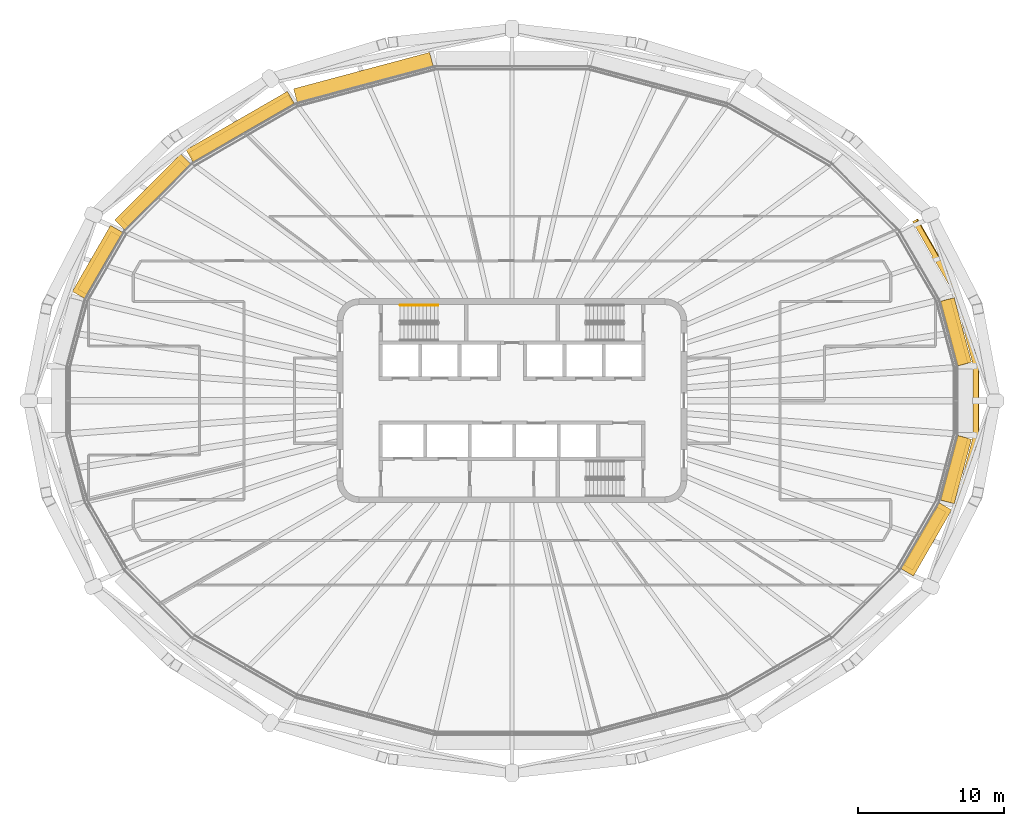
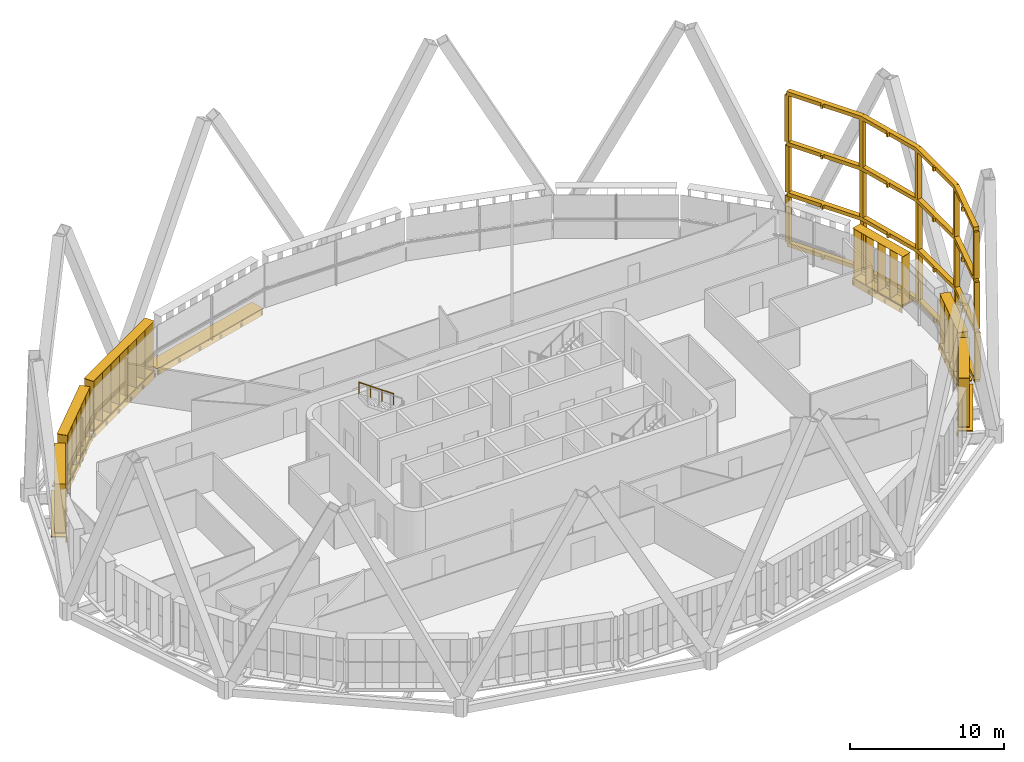
# One storey, part 22 of 23: 14 shading devices, 1 railing.
"""IFC4 building model written with IfcOpenShell, lengths in metres."""

from ifc_helpers import new_model, si_unit, direction, frame, origin, origin_2d, place, context, subcontext, project, spatial, polyline, rectangle, circle, outline, extrude, material, type_object, element, save


model = new_model("IFC4")

# Units and contexts
model_context = context("Model", 3, precision=1e-05, world=origin(), true_north=direction((0.0, 1.0)))
body_context = subcontext(model_context, "Body", "Model", "MODEL_VIEW")
ifc_project = project(units=[si_unit("LENGTHUNIT", "METRE"), si_unit("AREAUNIT", "SQUARE_METRE"), si_unit("VOLUMEUNIT", "CUBIC_METRE"), si_unit("PLANEANGLEUNIT", "RADIAN"), si_unit("MASSUNIT", "GRAM", prefix="KILO")], contexts=[model_context])

# Site, building, storey
site_placement = place(None, origin())
site = spatial("IfcSite", under=ifc_project, at=site_placement, CompositionType="ELEMENT")
building_placement = place(site_placement, origin())
building = spatial("IfcBuilding", under=site, at=building_placement, Name="Sahrelin Media Tower", CompositionType="ELEMENT")
storey_placement = place(building_placement, frame((0.0, 0.0, 217.60009765625)))
storey = spatial("IfcBuildingStorey", under=building, at=storey_placement, Name="L46", CompositionType="ELEMENT", Elevation=217.60009765625)

# Shading devices
ifc_material_1 = material(Name="Dark bronze anodised aluminium 6063-T6", Category="aluminium")
shading_device_type_1 = type_object("IfcShadingDeviceType", Name="Deep frame", PredefinedType="USERDEFINED", material=ifc_material_1)
shading_device_1_placement = place(storey_placement, frame((29.345703125, -6.901123046875, 0.0), z_axis=(0.0, 0.0, 1.0), x_axis=(-0.258807731996, -0.965928857556, 0.0)))
element("IfcShadingDevice", 1, at=shading_device_1_placement, inside=storey, type_object=shading_device_type_1, Name="L46:FRAME:F4-3", ObjectType="FRAME", PredefinedType="USERDEFINED", context=body_context, shape_type="SweptSolid", body=[
    extrude(rectangle(XDim=0.300048828125, YDim=0.35009765625, at=origin_2d()), frame((0.0, 1.324951171875, 0.14990234375), z_axis=(0.0, 0.0, 1.0), x_axis=(-1.0, 0.0, 0.0)), (0.0, 0.0, 1.0), 3.7001953125),
    extrude(rectangle(XDim=0.300048828125, YDim=0.35009765625, at=origin_2d()), frame((-4.9521484375, 1.313720703125, 0.14990234375), z_axis=(0.0, 0.0, 1.0), x_axis=(-0.991434606813, -0.130604059715, 0.0)), (0.0, 0.0, 1.0), 3.7001953125),
    extrude(rectangle(XDim=0.300048828125, YDim=0.35009765625, at=origin_2d()), frame((-9.7001953125, 0.04150390625, 0.14990234375), z_axis=(0.0, 0.0, 1.0), x_axis=(-0.923912256654, -0.382604419741, 0.0)), (0.0, 0.0, 1.0), 3.7001953125),
    extrude(rectangle(XDim=0.300048828125, YDim=0.35009765625, at=origin_2d()), frame((-14.138671875, -2.52099609375, 0.14990234375), z_axis=(0.0, 0.0, 1.0), x_axis=(-0.793352277801, -0.608762813671, 0.0)), (0.0, 0.0, 1.0), 3.7001953125),
    extrude(rectangle(XDim=0.300048828125, YDim=0.35009765625, at=origin_2d()), frame((-18.1142578125, -6.48046875, 0.14990234375), z_axis=(0.0, 0.0, 1.0), x_axis=(-0.707157378876, -0.707056179876, 0.0)), (0.0, 0.0, 1.0), 3.7001953125),
    extrude(outline(polyline([(-2.464599609375, 0.969970703125), (-2.314697265625, 0.969970703125), (-2.314697265625, 1.144775390625), (0.00048828125, 1.14990234375), (-0.00048828125, 1.5), (-4.952392578125, 1.48876953125), (-4.9521484375, 1.313720703125), (-4.997314453125, 1.482666015625), (-9.74560546875, 0.21044921875), (-9.7001953125, 0.04150390625), (-9.787841796875, 0.193115234375), (-14.226318359375, -2.369384765625), (-14.138671875, -2.52099609375), (-14.26220703125, -2.39697265625), (-18.23779296875, -6.3564453125), (-17.990966796875, -6.6044921875), (-16.1171875, -4.738525390625), (-15.99365234375, -4.862060546875), (-15.8876953125, -4.755859375), (-16.010986328125, -4.632568359375), (-14.031494140625, -2.6611328125), (-11.89697265625, -1.428955078125), (-11.8125, -1.574951171875), (-11.6826171875, -1.5), (-11.76708984375, -1.35400390625), (-9.6328125, -0.12158203125), (-7.353271484375, 0.489013671875), (-7.309814453125, 0.326171875), (-7.164794921875, 0.364990234375), (-7.20849609375, 0.52783203125), (-4.9287109375, 1.138671875), (-2.464599609375, 1.144287109375), (-2.464599609375, 0.969970703125)])), frame((0.0, 0.0, -0.14990234375)), (0.0, 0.0, 1.0), 0.2998046875),
    extrude(rectangle(XDim=0.300048828125, YDim=0.35009765625, at=origin_2d()), frame((0.000732421875, 1.291015625, 4.14990234375), z_axis=(0.0, 0.0, 1.0), x_axis=(-1.0, 0.0, 0.0)), (0.0, 0.0, 1.0), 3.7001953125),
    extrude(rectangle(XDim=0.300048828125, YDim=0.35009765625, at=origin_2d()), frame((-4.94580078125, 1.27978515625, 4.14990234375), z_axis=(0.0, 0.0, 1.0), x_axis=(-0.991447594891, -0.130505427419, 0.0)), (0.0, 0.0, 1.0), 3.7001953125),
    extrude(rectangle(XDim=0.300048828125, YDim=0.35009765625, at=origin_2d()), frame((-9.688720703125, 0.0087890625, 4.14990234375), z_axis=(0.0, 0.0, 1.0), x_axis=(-0.923876860854, -0.382689882252, 0.0)), (0.0, 0.0, 1.0), 3.7001953125),
    extrude(rectangle(XDim=0.300048828125, YDim=0.35009765625, at=origin_2d()), frame((-14.122314453125, -2.55078125, 4.14990234375), z_axis=(0.0, 0.0, 1.0), x_axis=(-0.793315089117, -0.608811275668, 0.0)), (0.0, 0.0, 1.0), 3.7001953125),
    extrude(rectangle(XDim=0.300048828125, YDim=0.35009765625, at=origin_2d()), frame((-18.093505859375, -6.505859375, 4.14990234375), z_axis=(0.0, 0.0, 1.0), x_axis=(-0.707106781187, -0.707106781187, 0.0)), (0.0, 0.0, 1.0), 3.7001953125),
    extrude(outline(polyline([(-2.461181640625, 0.93603515625), (-2.31103515625, 0.93603515625), (-2.31103515625, 1.11083984375), (0.001220703125, 1.115966796875), (0.000244140625, 1.466064453125), (-4.9462890625, 1.45458984375), (-4.94580078125, 1.27978515625), (-4.9912109375, 1.44873046875), (-9.734130859375, 0.177978515625), (-9.688720703125, 0.0087890625), (-9.7763671875, 0.160400390625), (-14.2099609375, -2.3994140625), (-14.122314453125, -2.55078125), (-14.245849609375, -2.4267578125), (-18.216796875, -6.3818359375), (-17.969970703125, -6.6298828125), (-16.0986328125, -4.76611328125), (-15.97509765625, -4.889404296875), (-15.868896484375, -4.783447265625), (-15.9921875, -4.66015625), (-14.01513671875, -2.69091796875), (-11.883056640625, -1.4599609375), (-11.798583984375, -1.606201171875), (-11.668701171875, -1.531005859375), (-11.753173828125, -1.385009765625), (-9.62109375, -0.154296875), (-7.344482421875, 0.455810546875), (-7.30078125, 0.29296875), (-7.156005859375, 0.331787109375), (-7.199462890625, 0.49462890625), (-4.922607421875, 1.104736328125), (-2.461181640625, 1.1103515625), (-2.461181640625, 0.93603515625)])), frame((0.0, 0.0, 3.85009765625)), (0.0, 0.0, 1.0), 0.2998046875),
    extrude(rectangle(XDim=0.300048828125, YDim=0.35009765625, at=origin_2d()), frame((0.001220703125, 1.261962890625, 8.14990234375), z_axis=(0.0, 0.0, 1.0), x_axis=(-1.0, 0.0, 0.0)), (0.0, 0.0, 1.0), 3.7001953125),
    extrude(rectangle(XDim=0.300048828125, YDim=0.35009765625, at=origin_2d()), frame((-4.940185546875, 1.25048828125, 8.14990234375), z_axis=(0.0, 0.0, 1.0), x_axis=(-0.991436202368, -0.130591947046, 0.0)), (0.0, 0.0, 1.0), 3.7001953125),
    extrude(rectangle(XDim=0.300048828125, YDim=0.35009765625, at=origin_2d()), frame((-9.678955078125, -0.01904296875, 8.14990234375), z_axis=(0.0, 0.0, 1.0), x_axis=(-0.923876860854, -0.382689882252, 0.0)), (0.0, 0.0, 1.0), 3.7001953125),
    extrude(rectangle(XDim=0.300048828125, YDim=0.35009765625, at=origin_2d()), frame((-14.1083984375, -2.576416015625, 8.14990234375), z_axis=(0.0, 0.0, 1.0), x_axis=(-0.793315089117, -0.608811275668, 0.0)), (0.0, 0.0, 1.0), 3.7001953125),
    extrude(rectangle(XDim=0.300048828125, YDim=0.35009765625, at=origin_2d()), frame((-18.075439453125, -6.527587890625, 8.14990234375), z_axis=(0.0, 0.0, 1.0), x_axis=(-0.707106781187, -0.707106781187, 0.0)), (0.0, 0.0, 1.0), 3.7001953125),
    extrude(outline(polyline([(-2.4580078125, 0.906982421875), (-2.30810546875, 0.906982421875), (-2.30810546875, 1.08154296875), (0.001708984375, 1.0869140625), (0.0009765625, 1.43701171875), (-4.940673828125, 1.425537109375), (-4.940185546875, 1.25048828125), (-4.985595703125, 1.419677734375), (-9.72412109375, 0.14990234375), (-9.678955078125, -0.01904296875), (-9.766357421875, 0.132568359375), (-14.19580078125, -2.4248046875), (-14.1083984375, -2.576416015625), (-14.231689453125, -2.452392578125), (-18.198974609375, -6.403564453125), (-17.951904296875, -6.651611328125), (-16.08251953125, -4.78955078125), (-15.958984375, -4.9130859375), (-15.85302734375, -4.806884765625), (-15.976318359375, -4.683837890625), (-14.0009765625, -2.716552734375), (-11.87109375, -1.48681640625), (-11.78662109375, -1.6328125), (-11.65673828125, -1.557861328125), (-11.7412109375, -1.411865234375), (-9.611328125, -0.18212890625), (-7.3369140625, 0.42724609375), (-7.293212890625, 0.264404296875), (-7.148193359375, 0.30322265625), (-7.19189453125, 0.466064453125), (-4.9169921875, 1.07568359375), (-2.4580078125, 1.081298828125), (-2.4580078125, 0.906982421875)])), frame((0.0, 0.0, 7.85009765625)), (0.0, 0.0, 1.0), 0.2998046875),
    extrude(outline(polyline([(-2.4580078125, 0.906982421875), (-2.30810546875, 0.906982421875), (-2.30810546875, 1.08154296875), (0.001708984375, 1.0869140625), (0.0009765625, 1.43701171875), (-4.940673828125, 1.425537109375), (-4.940185546875, 1.25048828125), (-4.985595703125, 1.419677734375), (-9.72412109375, 0.14990234375), (-9.678955078125, -0.01904296875), (-9.766357421875, 0.132568359375), (-14.19580078125, -2.4248046875), (-14.1083984375, -2.576416015625), (-14.231689453125, -2.452392578125), (-18.198974609375, -6.403564453125), (-17.951904296875, -6.651611328125), (-16.08251953125, -4.78955078125), (-15.958984375, -4.9130859375), (-15.85302734375, -4.806884765625), (-15.976318359375, -4.683837890625), (-14.0009765625, -2.716552734375), (-11.87109375, -1.48681640625), (-11.78662109375, -1.6328125), (-11.65673828125, -1.557861328125), (-11.7412109375, -1.411865234375), (-9.611328125, -0.18212890625), (-7.3369140625, 0.42724609375), (-7.293212890625, 0.264404296875), (-7.148193359375, 0.30322265625), (-7.19189453125, 0.466064453125), (-4.9169921875, 1.07568359375), (-2.4580078125, 1.081298828125), (-2.4580078125, 0.906982421875)])), frame((0.0, 0.0, 11.85009765625)), (0.0, 0.0, 1.0), 0.2998046875),
])
ifc_material_2 = material(Name="Champagne anodised aluminium 6063-T6", Category="aluminium")
shading_device_type_2 = type_object("IfcShadingDeviceType", Name="Fin cassette", PredefinedType="USERDEFINED", material=ifc_material_2)
placement_1 = place(storey_placement, frame((29.964111328125, 4.593017578125, 0.0), z_axis=(0.0, 0.0, 1.0), x_axis=(0.258807731996, -0.965928857556, 0.0)))
element("IfcShadingDevice", 2, at=placement_1, inside=storey, type_object=shading_device_type_2, Name="L46:FIN:L46-01", ObjectType="FIN", PredefinedType="USERDEFINED", context=body_context, shape_type="SweptSolid", body=[
    extrude(rectangle(XDim=4.60009765625, YDim=0.699951171875, at=origin_2d()), frame((0.0, 0.419921875, 0.0)), (0.0, 0.0, 1.0), 0.02001953125),
    extrude(rectangle(XDim=4.60009765625, YDim=0.699951171875, at=origin_2d()), frame((0.0, 0.419921875, 3.89990234375)), (0.0, 0.0, 1.0), 0.02001953125),
    extrude(rectangle(XDim=0.02001953125, YDim=0.699951171875, at=origin_2d()), frame((-2.199951171875, 0.419921875, 0.010009765625), z_axis=(0.0, 0.0, 1.0), x_axis=(1.0, 0.0, 0.0)), (0.0, 0.0, 1.0), 3.89990234375),
    extrude(rectangle(XDim=0.02001953125, YDim=0.699951171875, at=origin_2d()), frame((-1.10009765625, 0.419921875, 0.010009765625), z_axis=(0.0, 0.0, 1.0), x_axis=(1.0, 0.0, 0.0)), (0.0, 0.0, 1.0), 3.89990234375),
    extrude(rectangle(XDim=0.02001953125, YDim=0.699951171875, at=origin_2d()), frame((0.0, 0.419921875, 0.010009765625), z_axis=(0.0, 0.0, 1.0), x_axis=(1.0, 0.0, 0.0)), (0.0, 0.0, 1.0), 3.89990234375),
    extrude(rectangle(XDim=0.02001953125, YDim=0.699951171875, at=origin_2d()), frame((1.10009765625, 0.419921875, 0.010009765625), z_axis=(0.0, 0.0, 1.0), x_axis=(1.0, 0.0, 0.0)), (0.0, 0.0, 1.0), 3.89990234375),
    extrude(rectangle(XDim=0.02001953125, YDim=0.699951171875, at=origin_2d()), frame((2.199951171875, 0.419921875, 0.010009765625), z_axis=(0.0, 0.0, 1.0), x_axis=(1.0, 0.0, 0.0)), (0.0, 0.0, 1.0), 3.89990234375),
])
placement_2 = place(storey_placement, frame((-18.39013671875, 18.34033203125, 0.0), z_axis=(0.0, 0.0, 1.0), x_axis=(0.866019052629, 0.500011000363, 0.0)))
element("IfcShadingDevice", 3, at=placement_2, inside=storey, type_object=shading_device_type_2, Name="L46:FIN:L46-08", ObjectType="FIN", PredefinedType="USERDEFINED", context=body_context, shape_type="SweptSolid", body=[
    extrude(rectangle(XDim=7.89990234375, YDim=0.699951171875, at=origin_2d()), frame((0.0, 0.419921875, 0.0)), (0.0, 0.0, 1.0), 0.02001953125),
    extrude(rectangle(XDim=7.89990234375, YDim=0.699951171875, at=origin_2d()), frame((0.0, 0.419921875, 3.89990234375)), (0.0, 0.0, 1.0), 0.02001953125),
    extrude(rectangle(XDim=0.02001953125, YDim=0.699951171875, at=origin_2d()), frame((-3.85009765625, 0.419921875, 0.010009765625), z_axis=(0.0, 0.0, 1.0), x_axis=(1.0, 0.0, 0.0)), (0.0, 0.0, 1.0), 3.89990234375),
    extrude(rectangle(XDim=0.02001953125, YDim=0.699951171875, at=origin_2d()), frame((-2.75, 0.419921875, 0.010009765625), z_axis=(0.0, 0.0, 1.0), x_axis=(1.0, 0.0, 0.0)), (0.0, 0.0, 1.0), 3.89990234375),
    extrude(rectangle(XDim=0.02001953125, YDim=0.699951171875, at=origin_2d()), frame((-1.64990234375, 0.419921875, 0.010009765625), z_axis=(0.0, 0.0, 1.0), x_axis=(1.0, 0.0, 0.0)), (0.0, 0.0, 1.0), 3.89990234375),
    extrude(rectangle(XDim=0.02001953125, YDim=0.699951171875, at=origin_2d()), frame((-0.550048828125, 0.419921875, 0.010009765625), z_axis=(0.0, 0.0, 1.0), x_axis=(1.0, 0.0, 0.0)), (0.0, 0.0, 1.0), 3.89990234375),
    extrude(rectangle(XDim=0.02001953125, YDim=0.699951171875, at=origin_2d()), frame((0.550048828125, 0.419921875, 0.010009765625), z_axis=(0.0, 0.0, 1.0), x_axis=(1.0, 0.0, 0.0)), (0.0, 0.0, 1.0), 3.89990234375),
    extrude(rectangle(XDim=0.02001953125, YDim=0.699951171875, at=origin_2d()), frame((1.64990234375, 0.419921875, 0.010009765625), z_axis=(0.0, 0.0, 1.0), x_axis=(1.0, 0.0, 0.0)), (0.0, 0.0, 1.0), 3.89990234375),
    extrude(rectangle(XDim=0.02001953125, YDim=0.699951171875, at=origin_2d()), frame((2.75, 0.419921875, 0.010009765625), z_axis=(0.0, 0.0, 1.0), x_axis=(1.0, 0.0, 0.0)), (0.0, 0.0, 1.0), 3.89990234375),
    extrude(rectangle(XDim=0.02001953125, YDim=0.699951171875, at=origin_2d()), frame((3.85009765625, 0.419921875, 0.010009765625), z_axis=(0.0, 0.0, 1.0), x_axis=(1.0, 0.0, 0.0)), (0.0, 0.0, 1.0), 3.89990234375),
])
placement_3 = place(storey_placement, frame((-24.291015625, 13.9462890625, 0.0), z_axis=(0.0, 0.0, 1.0), x_axis=(0.707106781187, 0.707106781187, 0.0)))
element("IfcShadingDevice", 4, at=placement_3, inside=storey, type_object=shading_device_type_2, Name="L46:FIN:L46-09", ObjectType="FIN", PredefinedType="USERDEFINED", context=body_context, shape_type="SweptSolid", body=[
    extrude(rectangle(XDim=5.699951171875, YDim=0.699951171875, at=origin_2d()), frame((0.0, 0.419921875, 0.0)), (0.0, 0.0, 1.0), 0.02001953125),
    extrude(rectangle(XDim=5.699951171875, YDim=0.699951171875, at=origin_2d()), frame((0.0, 0.419921875, 3.89990234375)), (0.0, 0.0, 1.0), 0.02001953125),
    extrude(rectangle(XDim=0.02001953125, YDim=0.699951171875, at=origin_2d()), frame((-2.75, 0.419921875, 0.010009765625), z_axis=(0.0, 0.0, 1.0), x_axis=(1.0, 0.0, 0.0)), (0.0, 0.0, 1.0), 3.89990234375),
    extrude(rectangle(XDim=0.02001953125, YDim=0.699951171875, at=origin_2d()), frame((-1.64990234375, 0.419921875, 0.010009765625), z_axis=(0.0, 0.0, 1.0), x_axis=(1.0, 0.0, 0.0)), (0.0, 0.0, 1.0), 3.89990234375),
    extrude(rectangle(XDim=0.02001953125, YDim=0.699951171875, at=origin_2d()), frame((-0.550048828125, 0.419921875, 0.010009765625), z_axis=(0.0, 0.0, 1.0), x_axis=(1.0, 0.0, 0.0)), (0.0, 0.0, 1.0), 3.89990234375),
    extrude(rectangle(XDim=0.02001953125, YDim=0.699951171875, at=origin_2d()), frame((0.550048828125, 0.419921875, 0.010009765625), z_axis=(0.0, 0.0, 1.0), x_axis=(1.0, 0.0, 0.0)), (0.0, 0.0, 1.0), 3.89990234375),
    extrude(rectangle(XDim=0.02001953125, YDim=0.699951171875, at=origin_2d()), frame((1.64990234375, 0.419921875, 0.010009765625), z_axis=(0.0, 0.0, 1.0), x_axis=(1.0, 0.0, 0.0)), (0.0, 0.0, 1.0), 3.89990234375),
    extrude(rectangle(XDim=0.02001953125, YDim=0.699951171875, at=origin_2d()), frame((2.75, 0.419921875, 0.010009765625), z_axis=(0.0, 0.0, 1.0), x_axis=(1.0, 0.0, 0.0)), (0.0, 0.0, 1.0), 3.89990234375),
])
placement_4 = place(storey_placement, frame((-27.986083984375, 9.256103515625, 0.0), z_axis=(0.0, 0.0, 1.0), x_axis=(0.500011000363, 0.866019052629, 0.0)))
element("IfcShadingDevice", 5, at=placement_4, inside=storey, type_object=shading_device_type_2, Name="L46:FIN:L46-10", ObjectType="FIN", PredefinedType="USERDEFINED", context=body_context, shape_type="SweptSolid", body=[
    extrude(rectangle(XDim=4.60009765625, YDim=0.699951171875, at=origin_2d()), frame((0.0, 0.419921875, 0.0)), (0.0, 0.0, 1.0), 0.02001953125),
    extrude(rectangle(XDim=4.60009765625, YDim=0.699951171875, at=origin_2d()), frame((0.0, 0.419921875, 3.89990234375)), (0.0, 0.0, 1.0), 0.02001953125),
    extrude(rectangle(XDim=0.02001953125, YDim=0.699951171875, at=origin_2d()), frame((-2.199951171875, 0.419921875, 0.010009765625), z_axis=(0.0, 0.0, 1.0), x_axis=(1.0, 0.0, 0.0)), (0.0, 0.0, 1.0), 3.89990234375),
    extrude(rectangle(XDim=0.02001953125, YDim=0.699951171875, at=origin_2d()), frame((-1.10009765625, 0.419921875, 0.010009765625), z_axis=(0.0, 0.0, 1.0), x_axis=(1.0, 0.0, 0.0)), (0.0, 0.0, 1.0), 3.89990234375),
    extrude(rectangle(XDim=0.02001953125, YDim=0.699951171875, at=origin_2d()), frame((0.0, 0.419921875, 0.010009765625), z_axis=(0.0, 0.0, 1.0), x_axis=(1.0, 0.0, 0.0)), (0.0, 0.0, 1.0), 3.89990234375),
    extrude(rectangle(XDim=0.02001953125, YDim=0.699951171875, at=origin_2d()), frame((1.10009765625, 0.419921875, 0.010009765625), z_axis=(0.0, 0.0, 1.0), x_axis=(1.0, 0.0, 0.0)), (0.0, 0.0, 1.0), 3.89990234375),
    extrude(rectangle(XDim=0.02001953125, YDim=0.699951171875, at=origin_2d()), frame((2.199951171875, 0.419921875, 0.010009765625), z_axis=(0.0, 0.0, 1.0), x_axis=(1.0, 0.0, 0.0)), (0.0, 0.0, 1.0), 3.89990234375),
])
placement_5 = place(storey_placement, frame((27.986083984375, -9.256103515625, 0.0), z_axis=(0.0, 0.0, 1.0), x_axis=(-0.500011000363, -0.866019052629, 0.0)))
element("IfcShadingDevice", 6, at=placement_5, inside=storey, type_object=shading_device_type_2, Name="L46:FIN:L46-22", ObjectType="FIN", PredefinedType="USERDEFINED", context=body_context, shape_type="SweptSolid", body=[
    extrude(rectangle(XDim=4.60009765625, YDim=0.699951171875, at=origin_2d()), frame((0.0, 0.419921875, 0.0)), (0.0, 0.0, 1.0), 0.02001953125),
    extrude(rectangle(XDim=4.60009765625, YDim=0.699951171875, at=origin_2d()), frame((0.0, 0.419921875, 3.89990234375)), (0.0, 0.0, 1.0), 0.02001953125),
    extrude(rectangle(XDim=0.02001953125, YDim=0.699951171875, at=origin_2d()), frame((-2.199951171875, 0.419921875, 0.010009765625), z_axis=(0.0, 0.0, 1.0), x_axis=(1.0, 0.0, 0.0)), (0.0, 0.0, 1.0), 3.89990234375),
    extrude(rectangle(XDim=0.02001953125, YDim=0.699951171875, at=origin_2d()), frame((-1.10009765625, 0.419921875, 0.010009765625), z_axis=(0.0, 0.0, 1.0), x_axis=(1.0, 0.0, 0.0)), (0.0, 0.0, 1.0), 3.89990234375),
    extrude(rectangle(XDim=0.02001953125, YDim=0.699951171875, at=origin_2d()), frame((0.0, 0.419921875, 0.010009765625), z_axis=(0.0, 0.0, 1.0), x_axis=(1.0, 0.0, 0.0)), (0.0, 0.0, 1.0), 3.89990234375),
    extrude(rectangle(XDim=0.02001953125, YDim=0.699951171875, at=origin_2d()), frame((1.10009765625, 0.419921875, 0.010009765625), z_axis=(0.0, 0.0, 1.0), x_axis=(1.0, 0.0, 0.0)), (0.0, 0.0, 1.0), 3.89990234375),
    extrude(rectangle(XDim=0.02001953125, YDim=0.699951171875, at=origin_2d()), frame((2.199951171875, 0.419921875, 0.010009765625), z_axis=(0.0, 0.0, 1.0), x_axis=(1.0, 0.0, 0.0)), (0.0, 0.0, 1.0), 3.89990234375),
])
placement_6 = place(storey_placement, frame((29.964111328125, -4.593017578125, 0.0), z_axis=(0.0, 0.0, 1.0), x_axis=(-0.258807731996, -0.965928857556, 0.0)))
element("IfcShadingDevice", 7, at=placement_6, inside=storey, type_object=shading_device_type_2, Name="L46:FIN:L46-23", ObjectType="FIN", PredefinedType="USERDEFINED", context=body_context, shape_type="SweptSolid", body=[
    extrude(rectangle(XDim=4.60009765625, YDim=0.699951171875, at=origin_2d()), frame((0.0, 0.419921875, 0.0)), (0.0, 0.0, 1.0), 0.02001953125),
    extrude(rectangle(XDim=4.60009765625, YDim=0.699951171875, at=origin_2d()), frame((0.0, 0.419921875, 3.89990234375)), (0.0, 0.0, 1.0), 0.02001953125),
    extrude(rectangle(XDim=0.02001953125, YDim=0.699951171875, at=origin_2d()), frame((-2.199951171875, 0.419921875, 0.010009765625), z_axis=(0.0, 0.0, 1.0), x_axis=(1.0, 0.0, 0.0)), (0.0, 0.0, 1.0), 3.89990234375),
    extrude(rectangle(XDim=0.02001953125, YDim=0.699951171875, at=origin_2d()), frame((-1.10009765625, 0.419921875, 0.010009765625), z_axis=(0.0, 0.0, 1.0), x_axis=(1.0, 0.0, 0.0)), (0.0, 0.0, 1.0), 3.89990234375),
    extrude(rectangle(XDim=0.02001953125, YDim=0.699951171875, at=origin_2d()), frame((0.0, 0.419921875, 0.010009765625), z_axis=(0.0, 0.0, 1.0), x_axis=(1.0, 0.0, 0.0)), (0.0, 0.0, 1.0), 3.89990234375),
    extrude(rectangle(XDim=0.02001953125, YDim=0.699951171875, at=origin_2d()), frame((1.10009765625, 0.419921875, 0.010009765625), z_axis=(0.0, 0.0, 1.0), x_axis=(1.0, 0.0, 0.0)), (0.0, 0.0, 1.0), 3.89990234375),
    extrude(rectangle(XDim=0.02001953125, YDim=0.699951171875, at=origin_2d()), frame((2.199951171875, 0.419921875, 0.010009765625), z_axis=(0.0, 0.0, 1.0), x_axis=(1.0, 0.0, 0.0)), (0.0, 0.0, 1.0), 3.89990234375),
])

# Railing
ifc_material_3 = material(Name="Steel S355", Category="steel")
railing_type = type_object("IfcRailingType", Name="Stair handrail 900", PredefinedType="HANDRAIL", material=ifc_material_3)
railing_placement = place(storey_placement, frame((-5.074951171875, 6.550048828125, 2.181640625)))
element("IfcRailing", 8, at=railing_placement, inside=storey, type_object=railing_type, Name="L46 ST1 stair handrail 2", PredefinedType="HANDRAIL", context=body_context, shape_type="SweptSolid", body=[
    extrude(circle(Radius=0.02392578125, at=origin_2d()), frame((0.0, 0.0, 0.8759765625), z_axis=(-0.819484887739, 0.0, 0.573100792852), x_axis=(0.0, -1.0, 0.0)), (0.0, 0.0, 1.0), 3.1728515625),
    extrude(circle(Radius=0.02099609375, at=origin_2d()), origin(), (0.0, 0.0, 1.0), 0.851806640625),
    extrude(circle(Radius=0.02099609375, at=origin_2d()), frame((-0.86669921875, 0.0, 0.606201171875)), (0.0, 0.0, 1.0), 0.851806640625),
    extrude(circle(Radius=0.02099609375, at=origin_2d()), frame((-1.7333984375, 0.0, 1.212158203125)), (0.0, 0.0, 1.0), 0.851806640625),
    extrude(circle(Radius=0.02099609375, at=origin_2d()), frame((-2.60009765625, 0.0, 1.818359375)), (0.0, 0.0, 1.0), 0.851806640625),
])

# Shading devices
shading_device_type_3 = type_object("IfcShadingDeviceType", Name="Sunshade band", PredefinedType="USERDEFINED", material=ifc_material_2)
element("IfcShadingDevice", 9, at=placement_1, inside=storey, type_object=shading_device_type_3, Name="L46:SUN:L46-01", ObjectType="SUNSHADE", PredefinedType="USERDEFINED", context=body_context, shape_type="SweptSolid", body=[
    extrude(rectangle(XDim=4.5791015625, YDim=0.050048828125, at=origin_2d()), frame((0.0, 0.044921875, -0.55126953125)), (0.0, 0.0, 1.0), 0.471435546875),
    extrude(rectangle(XDim=4.5791015625, YDim=1.0, at=origin_2d()), frame((0.0, 0.52001953125, -0.080078125)), (0.0, 0.0, 1.0), 0.080078125),
    extrude(rectangle(XDim=0.10009765625, YDim=0.074951171875, at=origin_2d()), frame((-2.189697265625, -0.017578125, -0.47021484375)), (0.0, 0.0, 1.0), 0.300048828125),
    extrude(rectangle(XDim=0.10009765625, YDim=0.074951171875, at=origin_2d()), frame((-0.72998046875, -0.017578125, -0.47021484375)), (0.0, 0.0, 1.0), 0.300048828125),
    extrude(rectangle(XDim=0.10009765625, YDim=0.074951171875, at=origin_2d()), frame((0.72998046875, -0.017578125, -0.47021484375)), (0.0, 0.0, 1.0), 0.300048828125),
    extrude(rectangle(XDim=0.10009765625, YDim=0.074951171875, at=origin_2d()), frame((2.189697265625, -0.017578125, -0.47021484375)), (0.0, 0.0, 1.0), 0.300048828125),
])
shading_device_9_placement = place(storey_placement, frame((-10.060302734375, 21.67529296875, 0.0), z_axis=(0.0, 0.0, 1.0), x_axis=(0.965928857556, 0.258807731996, 0.0)))
element("IfcShadingDevice", 10, at=shading_device_9_placement, inside=storey, type_object=shading_device_type_3, Name="L46:SUN:L46-07", ObjectType="SUNSHADE", PredefinedType="USERDEFINED", context=body_context, shape_type="SweptSolid", body=[
    extrude(rectangle(XDim=9.66552734375, YDim=0.050048828125, at=origin_2d()), frame((0.0, 0.044921875, -0.55126953125)), (0.0, 0.0, 1.0), 0.471435546875),
    extrude(rectangle(XDim=9.66552734375, YDim=1.0, at=origin_2d()), frame((0.0, 0.52001953125, -0.080078125)), (0.0, 0.0, 1.0), 0.080078125),
    extrude(rectangle(XDim=0.10009765625, YDim=0.074951171875, at=origin_2d()), frame((-4.732666015625, -0.017578125, -0.47021484375)), (0.0, 0.0, 1.0), 0.300048828125),
    extrude(rectangle(XDim=0.10009765625, YDim=0.074951171875, at=origin_2d()), frame((-2.839599609375, -0.017578125, -0.47021484375)), (0.0, 0.0, 1.0), 0.300048828125),
    extrude(rectangle(XDim=0.10009765625, YDim=0.074951171875, at=origin_2d()), frame((-0.946533203125, -0.017578125, -0.47021484375)), (0.0, 0.0, 1.0), 0.300048828125),
    extrude(rectangle(XDim=0.10009765625, YDim=0.074951171875, at=origin_2d()), frame((0.946533203125, -0.017578125, -0.47021484375)), (0.0, 0.0, 1.0), 0.300048828125),
    extrude(rectangle(XDim=0.10009765625, YDim=0.074951171875, at=origin_2d()), frame((2.839599609375, -0.017578125, -0.47021484375)), (0.0, 0.0, 1.0), 0.300048828125),
    extrude(rectangle(XDim=0.10009765625, YDim=0.074951171875, at=origin_2d()), frame((4.732666015625, -0.017578125, -0.47021484375)), (0.0, 0.0, 1.0), 0.300048828125),
])
element("IfcShadingDevice", 11, at=placement_2, inside=storey, type_object=shading_device_type_3, Name="L46:SUN:L46-08", ObjectType="SUNSHADE", PredefinedType="USERDEFINED", context=body_context, shape_type="SweptSolid", body=[
    extrude(rectangle(XDim=8.033203125, YDim=0.050048828125, at=origin_2d()), frame((0.0, 0.044921875, -0.55126953125)), (0.0, 0.0, 1.0), 0.471435546875),
    extrude(rectangle(XDim=8.033203125, YDim=1.0, at=origin_2d()), frame((0.0, 0.52001953125, -0.080078125)), (0.0, 0.0, 1.0), 0.080078125),
    extrude(rectangle(XDim=0.10009765625, YDim=0.074951171875, at=origin_2d()), frame((-3.91650390625, -0.017578125, -0.47021484375)), (0.0, 0.0, 1.0), 0.300048828125),
    extrude(rectangle(XDim=0.10009765625, YDim=0.074951171875, at=origin_2d()), frame((-2.35009765625, -0.017578125, -0.47021484375)), (0.0, 0.0, 1.0), 0.300048828125),
    extrude(rectangle(XDim=0.10009765625, YDim=0.074951171875, at=origin_2d()), frame((-0.783203125, -0.017578125, -0.47021484375)), (0.0, 0.0, 1.0), 0.300048828125),
    extrude(rectangle(XDim=0.10009765625, YDim=0.074951171875, at=origin_2d()), frame((0.783203125, -0.017578125, -0.47021484375)), (0.0, 0.0, 1.0), 0.300048828125),
    extrude(rectangle(XDim=0.10009765625, YDim=0.074951171875, at=origin_2d()), frame((2.35009765625, -0.017578125, -0.47021484375)), (0.0, 0.0, 1.0), 0.300048828125),
    extrude(rectangle(XDim=0.10009765625, YDim=0.074951171875, at=origin_2d()), frame((3.91650390625, -0.017578125, -0.47021484375)), (0.0, 0.0, 1.0), 0.300048828125),
])
element("IfcShadingDevice", 12, at=placement_3, inside=storey, type_object=shading_device_type_3, Name="L46:SUN:L46-09", ObjectType="SUNSHADE", PredefinedType="USERDEFINED", context=body_context, shape_type="SweptSolid", body=[
    extrude(rectangle(XDim=6.406494140625, YDim=0.050048828125, at=origin_2d()), frame((0.0, 0.044921875, -0.55126953125)), (0.0, 0.0, 1.0), 0.471435546875),
    extrude(rectangle(XDim=6.406494140625, YDim=1.0, at=origin_2d()), frame((0.0, 0.52001953125, -0.080078125)), (0.0, 0.0, 1.0), 0.080078125),
    extrude(rectangle(XDim=0.10009765625, YDim=0.074951171875, at=origin_2d()), frame((-3.103271484375, -0.017578125, -0.47021484375)), (0.0, 0.0, 1.0), 0.300048828125),
    extrude(rectangle(XDim=0.10009765625, YDim=0.074951171875, at=origin_2d()), frame((-1.551513671875, -0.017578125, -0.47021484375)), (0.0, 0.0, 1.0), 0.300048828125),
    extrude(rectangle(XDim=0.10009765625, YDim=0.074951171875, at=origin_2d()), frame((0.0, -0.017578125, -0.47021484375)), (0.0, 0.0, 1.0), 0.300048828125),
    extrude(rectangle(XDim=0.10009765625, YDim=0.074951171875, at=origin_2d()), frame((1.551513671875, -0.017578125, -0.47021484375)), (0.0, 0.0, 1.0), 0.300048828125),
    extrude(rectangle(XDim=0.10009765625, YDim=0.074951171875, at=origin_2d()), frame((3.103271484375, -0.017578125, -0.47021484375)), (0.0, 0.0, 1.0), 0.300048828125),
])
element("IfcShadingDevice", 13, at=placement_4, inside=storey, type_object=shading_device_type_3, Name="L46:SUN:L46-10", ObjectType="SUNSHADE", PredefinedType="USERDEFINED", context=body_context, shape_type="SweptSolid", body=[
    extrude(rectangle(XDim=5.238037109375, YDim=0.050048828125, at=origin_2d()), frame((0.0, 0.044921875, -0.55126953125)), (0.0, 0.0, 1.0), 0.471435546875),
    extrude(rectangle(XDim=5.238037109375, YDim=1.0, at=origin_2d()), frame((0.0, 0.52001953125, -0.080078125)), (0.0, 0.0, 1.0), 0.080078125),
    extrude(rectangle(XDim=0.10009765625, YDim=0.074951171875, at=origin_2d()), frame((-2.51904296875, -0.017578125, -0.47021484375)), (0.0, 0.0, 1.0), 0.300048828125),
    extrude(rectangle(XDim=0.10009765625, YDim=0.074951171875, at=origin_2d()), frame((-0.839599609375, -0.017578125, -0.47021484375)), (0.0, 0.0, 1.0), 0.300048828125),
    extrude(rectangle(XDim=0.10009765625, YDim=0.074951171875, at=origin_2d()), frame((0.839599609375, -0.017578125, -0.47021484375)), (0.0, 0.0, 1.0), 0.300048828125),
    extrude(rectangle(XDim=0.10009765625, YDim=0.074951171875, at=origin_2d()), frame((2.51904296875, -0.017578125, -0.47021484375)), (0.0, 0.0, 1.0), 0.300048828125),
])
element("IfcShadingDevice", 14, at=placement_5, inside=storey, type_object=shading_device_type_3, Name="L46:SUN:L46-22", ObjectType="SUNSHADE", PredefinedType="USERDEFINED", context=body_context, shape_type="SweptSolid", body=[
    extrude(rectangle(XDim=5.238037109375, YDim=0.050048828125, at=origin_2d()), frame((0.0, 0.044921875, -0.55126953125)), (0.0, 0.0, 1.0), 0.471435546875),
    extrude(rectangle(XDim=5.238037109375, YDim=1.0, at=origin_2d()), frame((0.0, 0.52001953125, -0.080078125)), (0.0, 0.0, 1.0), 0.080078125),
    extrude(rectangle(XDim=0.10009765625, YDim=0.074951171875, at=origin_2d()), frame((-2.51904296875, -0.017578125, -0.47021484375)), (0.0, 0.0, 1.0), 0.300048828125),
    extrude(rectangle(XDim=0.10009765625, YDim=0.074951171875, at=origin_2d()), frame((-0.839599609375, -0.017578125, -0.47021484375)), (0.0, 0.0, 1.0), 0.300048828125),
    extrude(rectangle(XDim=0.10009765625, YDim=0.074951171875, at=origin_2d()), frame((0.839599609375, -0.017578125, -0.47021484375)), (0.0, 0.0, 1.0), 0.300048828125),
    extrude(rectangle(XDim=0.10009765625, YDim=0.074951171875, at=origin_2d()), frame((2.51904296875, -0.017578125, -0.47021484375)), (0.0, 0.0, 1.0), 0.300048828125),
])
element("IfcShadingDevice", 15, at=placement_6, inside=storey, type_object=shading_device_type_3, Name="L46:SUN:L46-23", ObjectType="SUNSHADE", PredefinedType="USERDEFINED", context=body_context, shape_type="SweptSolid", body=[
    extrude(rectangle(XDim=4.5791015625, YDim=0.050048828125, at=origin_2d()), frame((0.0, 0.044921875, -0.55126953125)), (0.0, 0.0, 1.0), 0.471435546875),
    extrude(rectangle(XDim=4.5791015625, YDim=1.0, at=origin_2d()), frame((0.0, 0.52001953125, -0.080078125)), (0.0, 0.0, 1.0), 0.080078125),
    extrude(rectangle(XDim=0.10009765625, YDim=0.074951171875, at=origin_2d()), frame((-2.189697265625, -0.017578125, -0.47021484375)), (0.0, 0.0, 1.0), 0.300048828125),
    extrude(rectangle(XDim=0.10009765625, YDim=0.074951171875, at=origin_2d()), frame((-0.72998046875, -0.017578125, -0.47021484375)), (0.0, 0.0, 1.0), 0.300048828125),
    extrude(rectangle(XDim=0.10009765625, YDim=0.074951171875, at=origin_2d()), frame((0.72998046875, -0.017578125, -0.47021484375)), (0.0, 0.0, 1.0), 0.300048828125),
    extrude(rectangle(XDim=0.10009765625, YDim=0.074951171875, at=origin_2d()), frame((2.189697265625, -0.017578125, -0.47021484375)), (0.0, 0.0, 1.0), 0.300048828125),
])

save(model, "model.ifc")
